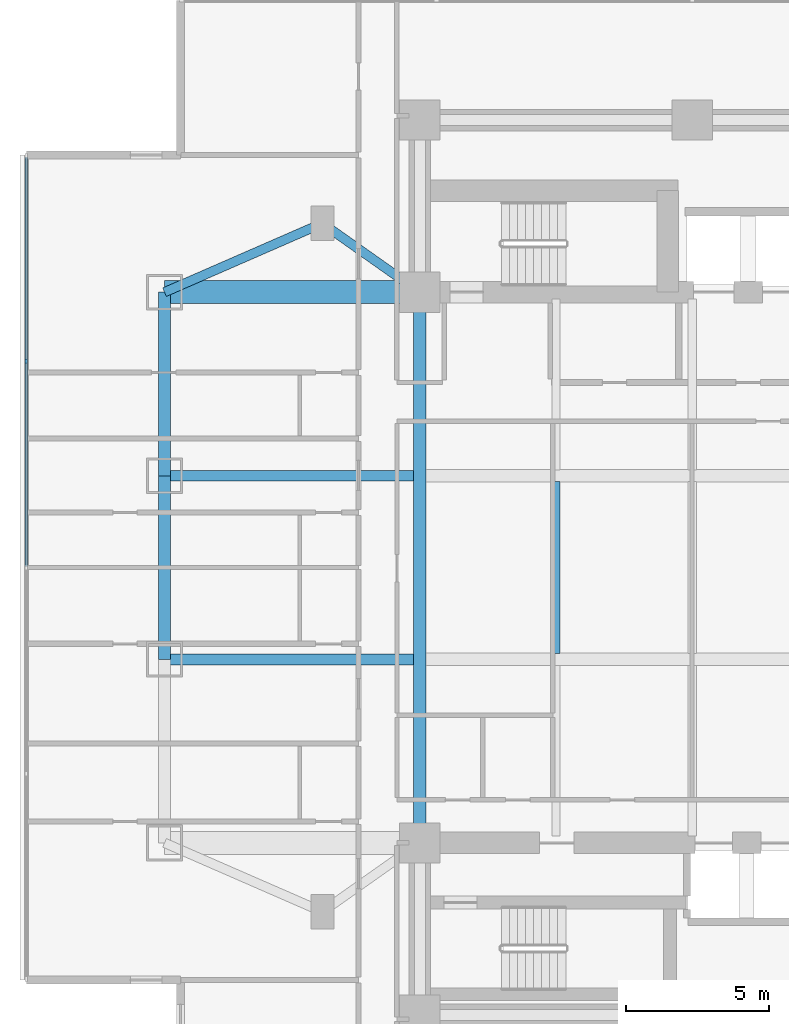
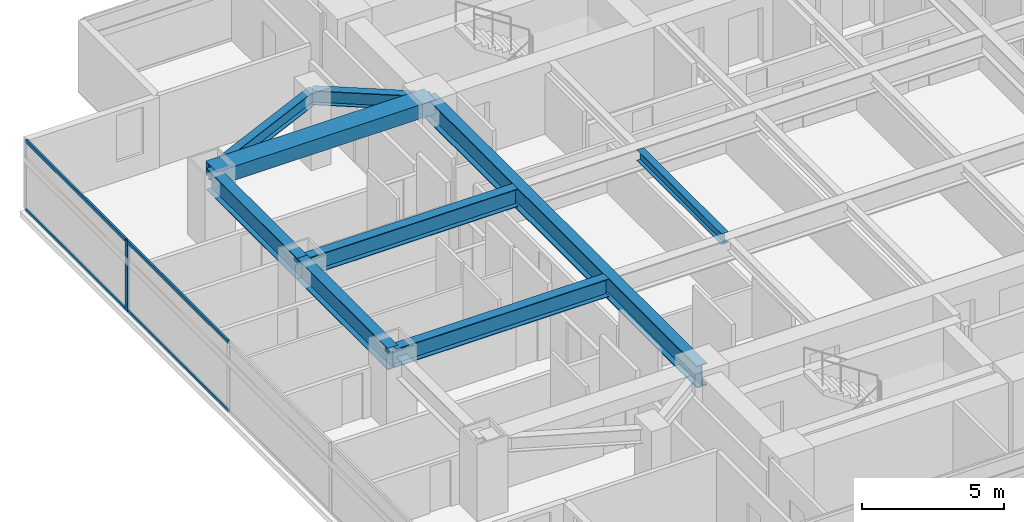
# One storey, part 3 of 26: 9 beams, 5 members, 1 element without a shape of its own.
"""IFC4 building model written with IfcOpenShell, lengths in metres."""

from ifc_helpers import new_model, si_unit, direction, frame, origin, origin_2d, place, context, subcontext, project, spatial, rectangle, i_section, extrude, material, material_profile, profile_set, type_object, element, aggregate, save


model = new_model("IFC4")

# Units and contexts
model_context = context("Model", 3, precision=1e-05, world=origin(), true_north=direction((0.0, 1.0)))
body_context = subcontext(model_context, "Body", "Model", "MODEL_VIEW")
ifc_project = project(units=[si_unit("LENGTHUNIT", "METRE"), si_unit("AREAUNIT", "SQUARE_METRE"), si_unit("VOLUMEUNIT", "CUBIC_METRE"), si_unit("PLANEANGLEUNIT", "RADIAN"), si_unit("MASSUNIT", "GRAM", prefix="KILO")], contexts=[model_context])

# Site, building, storey
site_placement = place(None, origin())
site = spatial("IfcSite", under=ifc_project, at=site_placement, CompositionType="ELEMENT")
building_placement = place(site_placement, origin())
building = spatial("IfcBuilding", under=site, at=building_placement, Name="Mirazonda Arch Towers", CompositionType="ELEMENT")
storey_placement = place(building_placement, frame((0.0, 0.0, 48.800048828125)))
storey = spatial("IfcBuildingStorey", under=building, at=storey_placement, Name="L13", CompositionType="ELEMENT", Elevation=48.800048828125)

# Beams
ifc_material_1 = material(Name="Steel ASTM A992 Grade 50", Category="steel")
ifc_material_profile_1 = material_profile(ifc_material_1, i_section(OverallWidth=0.41796875, OverallDepth=0.927001953125, WebThickness=0.019287109375, FlangeThickness=0.031982421875, at=origin_2d()), Name="W36X231")
ifc_profile_set_1 = profile_set([ifc_material_profile_1], Name="Steel ASTM A992 Grade 50")
beam_type_1 = type_object("IfcBeamType", Name="BM-EXT-W36X231", PredefinedType="USERDEFINED", material=ifc_profile_set_1)
beam_1_placement = place(storey_placement, frame((2.10009765625, 24.800048828125, 2.596435546875), z_axis=(0.0, 1.0, 0.0), x_axis=(-1.0, 0.0, 0.0)))
element("IfcBeam", 1, at=beam_1_placement, inside=storey, type_object=beam_type_1, Name="L13 Floor Beam BM-T1-L13-NS-W-24", ObjectType="GIRDER", PredefinedType="USERDEFINED", context=body_context, shape_type="SweptSolid", body=[
    extrude(i_section(OverallWidth=0.41796875, OverallDepth=0.927001953125, WebThickness=0.019287109375, FlangeThickness=0.031982421875, at=origin_2d()), origin(), (0.0, 0.0, 1.0), 6.39990234375),
])
beam_2_placement = place(storey_placement, frame((2.10009765625, 31.199951171875, 2.596435546875), z_axis=(0.0, 1.0, 0.0), x_axis=(-1.0, 0.0, 0.0)))
element("IfcBeam", 2, at=beam_2_placement, inside=storey, type_object=beam_type_1, Name="L13 Floor Beam BM-T1-L13-NS-W-31", ObjectType="GIRDER", PredefinedType="USERDEFINED", context=body_context, shape_type="SweptSolid", body=[
    extrude(i_section(OverallWidth=0.41796875, OverallDepth=0.927001953125, WebThickness=0.019287109375, FlangeThickness=0.031982421875, at=origin_2d()), origin(), (0.0, 0.0, 1.0), 6.400146484375),
])
ifc_material_profile_2 = material_profile(ifc_material_1, i_section(OverallWidth=0.280029296875, OverallDepth=0.462890625, WebThickness=0.0107421875, FlangeThickness=0.017333984375, at=origin_2d()), Name="W18X76")
ifc_profile_set_2 = profile_set([ifc_material_profile_2], Name="Steel ASTM A992 Grade 50")
beam_type_2 = type_object("IfcBeamType", Name="BM-INT-W18X76", PredefinedType="JOIST", material=ifc_profile_set_2)
beam_3_placement = place(storey_placement, frame((15.75, 25.007568359375, 2.828369140625), z_axis=(0.0, 1.0, 0.0), x_axis=(-1.0, 0.0, 0.0)))
element("IfcBeam", 3, at=beam_3_placement, inside=storey, type_object=beam_type_2, Name="L13 Floor Beam BM-T1-L13-J-157-24", PredefinedType="JOIST", context=body_context, shape_type="SweptSolid", body=[
    extrude(i_section(OverallWidth=0.280029296875, OverallDepth=0.462890625, WebThickness=0.0107421875, FlangeThickness=0.017333984375, at=origin_2d()), origin(), (0.0, 0.0, 1.0), 5.98486328125),
])
ifc_material_profile_3 = material_profile(ifc_material_1, i_section(OverallWidth=0.324951171875, OverallDepth=0.615966796875, WebThickness=0.013916015625, FlangeThickness=0.021484375, at=origin_2d()), Name="W24X117")
ifc_profile_set_3 = profile_set([ifc_material_profile_3], Name="Steel ASTM A992 Grade 50")
beam_type_3 = type_object("IfcBeamType", Name="BM-INT-W24X117", PredefinedType="BEAM", material=ifc_profile_set_3)
beam_4_placement = place(storey_placement, frame((7.60009765625, 40.0, 2.751953125), z_axis=(0.816971114901, -0.576678591087, 0.0), x_axis=(0.576678591087, 0.816971114901, 0.0)))
element("IfcBeam", 4, at=beam_4_placement, inside=storey, type_object=beam_type_3, Name="L13 Floor Beam BM-T1-L13-PL-NW1", PredefinedType="BEAM", context=body_context, shape_type="SweptSolid", body=[
    extrude(i_section(OverallWidth=0.324951171875, OverallDepth=0.615966796875, WebThickness=0.013916015625, FlangeThickness=0.021484375, at=origin_2d()), origin(), (0.0, 0.0, 1.0), 4.16162109375),
])
beam_5_placement = place(storey_placement, frame((7.60009765625, 40.0, 2.751953125), z_axis=(-0.916545343703, -0.399930785183, 0.0), x_axis=(0.399930785183, -0.916545343703, 0.0)))
element("IfcBeam", 5, at=beam_5_placement, inside=storey, type_object=beam_type_3, Name="L13 Floor Beam BM-T1-L13-PL-NW2", PredefinedType="BEAM", context=body_context, shape_type="SweptSolid", body=[
    extrude(i_section(OverallWidth=0.324951171875, OverallDepth=0.615966796875, WebThickness=0.013916015625, FlangeThickness=0.021484375, at=origin_2d()), origin(), (0.0, 0.0, 1.0), 6.000732421875),
])
ifc_material_profile_4 = material_profile(ifc_material_1, i_section(OverallWidth=0.381103515625, OverallDepth=0.77294921875, WebThickness=0.0166015625, FlangeThickness=0.027099609375, at=origin_2d()), Name="W30X173")
ifc_profile_set_4 = profile_set([ifc_material_profile_4], Name="Steel ASTM A992 Grade 50")
beam_type_4 = type_object("IfcBeamType", Name="BM-INT-W30X173", PredefinedType="USERDEFINED", material=ifc_profile_set_4)
for number, where, z_axis, x_axis, name in (
    (6, (2.10009765625, 24.800048828125, 2.67333984375), (1.0, 0.0, 0.0), (0.0, 1.0, 0.0), "L13 Floor Beam BM-T1-L13-GW2"),
    (7, (2.10009765625, 31.199951171875, 2.67333984375), (1.0, 0.0, 0.0), (0.0, 1.0, 0.0), "L13 Floor Beam BM-T1-L13-GW3"),
):
    element("IfcBeam", number, at=place(storey_placement, frame(where, z_axis=z_axis, x_axis=x_axis)), inside=storey, type_object=beam_type_4, Name=name, ObjectType="GIRDER", PredefinedType="USERDEFINED", context=body_context, shape_type="SweptSolid", body=[
        extrude(i_section(OverallWidth=0.381103515625, OverallDepth=0.77294921875, WebThickness=0.0166015625, FlangeThickness=0.027099609375, at=origin_2d()), origin(), (0.0, 0.0, 1.0), 8.6884765625),
    ])
ifc_material_profile_5 = material_profile(ifc_material_1, i_section(OverallWidth=0.423095703125, OverallDepth=0.947998046875, WebThickness=0.02392578125, FlangeThickness=0.042724609375, at=origin_2d()), Name="W36X302")
ifc_profile_set_5 = profile_set([ifc_material_profile_5], Name="Steel ASTM A992 Grade 50")
beam_type_5 = type_object("IfcBeamType", Name="BM-INT-W36X302", PredefinedType="USERDEFINED", material=ifc_profile_set_5)
beam_6_placement = place(storey_placement, frame((11.0, 18.39990234375, 2.5859375), z_axis=(0.0, 1.0, 0.0), x_axis=(-1.0, 0.0, 0.0)))
element("IfcBeam", 8, at=beam_6_placement, inside=storey, type_object=beam_type_5, Name="L13 Floor Beam BM-T1-L13-NS-CW-FULL", ObjectType="GIRDER", PredefinedType="USERDEFINED", context=body_context, shape_type="SweptSolid", body=[
    extrude(i_section(OverallWidth=0.423095703125, OverallDepth=0.947998046875, WebThickness=0.02392578125, FlangeThickness=0.042724609375, at=origin_2d()), origin(), (0.0, 0.0, 1.0), 19.2001953125),
])
ifc_material_2 = material(Name="Concrete C60/75", Category="concrete")
ifc_material_profile_6 = material_profile(ifc_material_2, rectangle(XDim=0.800048828125, YDim=0.60009765625, at=origin_2d()), Name="RCCB800x600")
ifc_profile_set_6 = profile_set([ifc_material_profile_6], Name="Concrete C60/75")
beam_type_6 = type_object("IfcBeamType", Name="CB-INT-RCCB800x600", PredefinedType="SPANDREL", material=ifc_profile_set_6)
beam_7_placement = place(storey_placement, frame((2.10009765625, 37.60009765625, 2.760009765625), z_axis=(1.0, 0.0, 0.0), x_axis=(0.0, 1.0, 0.0)))
element("IfcBeam", 9, at=beam_7_placement, inside=storey, type_object=beam_type_6, Name="L13 Floor Beam CBC-T1-L13-NW", PredefinedType="SPANDREL", context=body_context, shape_type="SweptSolid", body=[
    extrude(rectangle(XDim=0.800048828125, YDim=0.60009765625, at=origin_2d()), origin(), (0.0, 0.0, 1.0), 8.89990234375),
])

# Curtain wall, members
ifc_material_3 = material(Name="Anodised Aluminium and Low-E Glass", Category="aluminium")
curtain_wall_type = type_object("IfcCurtainWallType", Name="CW-HTL-UNIT", PredefinedType="NOTDEFINED", material=ifc_material_3)
curtain_wall_placement = place(storey_placement, origin())
curtain_wall = element("IfcCurtainWall", 10, at=curtain_wall_placement, inside=storey, type_object=curtain_wall_type, Name="L13 T1 W Facade CW-L13-T1-W", PredefinedType="NOTDEFINED")
ifc_material_4 = material(Name="Anodised Aluminium Alloy", Category="aluminium")
ifc_material_profile_7 = material_profile(ifc_material_4, rectangle(XDim=0.074951171875, YDim=0.1650390625, at=origin_2d()), Name="ALU-MULL-75x165")
ifc_profile_set_7 = profile_set([ifc_material_profile_7], Name="Anodised Aluminium Alloy")
member_type_1 = type_object("IfcMemberType", Name="MULL-CW-HTL-UNIT", PredefinedType="MULLION", material=ifc_profile_set_7)
member_1_placement = place(storey_placement, frame((-2.719970703125, 35.19189453125, 0.0), z_axis=(0.0, 0.0, 1.0), x_axis=(1.0, 0.0, 0.0)))
member_1 = element("IfcMember", 11, at=member_1_placement, type_object=member_type_1, Name="CW-112 mullion 2", PredefinedType="MULLION", context=body_context, shape_type="SweptSolid", body=[
    extrude(rectangle(XDim=0.074951171875, YDim=0.1650390625, at=origin_2d()), origin(), (0.0, 0.0, 1.0), 3.0400390625),
])
ifc_material_profile_8 = material_profile(ifc_material_4, rectangle(XDim=0.074951171875, YDim=0.14501953125, at=origin_2d()), Name="ALU-TRAN-75x145")
ifc_profile_set_8 = profile_set([ifc_material_profile_8], Name="Anodised Aluminium Alloy")
member_type_2 = type_object("IfcMemberType", Name="TRAN-CW-HTL-UNIT", PredefinedType="USERDEFINED", material=ifc_profile_set_8)
member_2_placement = place(storey_placement, frame((-2.719970703125, 42.30908203125, 0.037353515625), z_axis=(0.0, -1.0, 0.0), x_axis=(1.0, 0.0, 0.0)))
member_2 = element("IfcMember", 12, at=member_2_placement, type_object=member_type_2, Name="CW-112 transom 1.1", ObjectType="TRANSOM", PredefinedType="USERDEFINED", context=body_context, shape_type="SweptSolid", body=[
    extrude(rectangle(XDim=0.074951171875, YDim=0.14501953125, at=origin_2d()), origin(), (0.0, 0.0, 1.0), 7.07958984375),
])
member_3_placement = place(storey_placement, frame((-2.719970703125, 42.30908203125, 3.00244140625), z_axis=(0.0, -1.0, 0.0), x_axis=(1.0, 0.0, 0.0)))
member_3 = element("IfcMember", 13, at=member_3_placement, type_object=member_type_2, Name="CW-112 transom 1.2", ObjectType="TRANSOM", PredefinedType="USERDEFINED", context=body_context, shape_type="SweptSolid", body=[
    extrude(rectangle(XDim=0.074951171875, YDim=0.14501953125, at=origin_2d()), origin(), (0.0, 0.0, 1.0), 7.07958984375),
])
member_4_placement = place(storey_placement, frame((-2.719970703125, 35.154541015625, 0.037353515625), z_axis=(0.0, -1.0, 0.0), x_axis=(1.0, 0.0, 0.0)))
member_4 = element("IfcMember", 14, at=member_4_placement, type_object=member_type_2, Name="CW-112 transom 2.1", ObjectType="TRANSOM", PredefinedType="USERDEFINED", context=body_context, shape_type="SweptSolid", body=[
    extrude(rectangle(XDim=0.074951171875, YDim=0.14501953125, at=origin_2d()), origin(), (0.0, 0.0, 1.0), 7.116943359375),
])
member_5_placement = place(storey_placement, frame((-2.719970703125, 35.154541015625, 3.00244140625), z_axis=(0.0, -1.0, 0.0), x_axis=(1.0, 0.0, 0.0)))
member_5 = element("IfcMember", 15, at=member_5_placement, type_object=member_type_2, Name="CW-112 transom 2.2", ObjectType="TRANSOM", PredefinedType="USERDEFINED", context=body_context, shape_type="SweptSolid", body=[
    extrude(rectangle(XDim=0.074951171875, YDim=0.14501953125, at=origin_2d()), origin(), (0.0, 0.0, 1.0), 7.116943359375),
])
aggregate(curtain_wall, [member_1, member_2, member_3, member_4, member_5])

save(model, "model.ifc")
